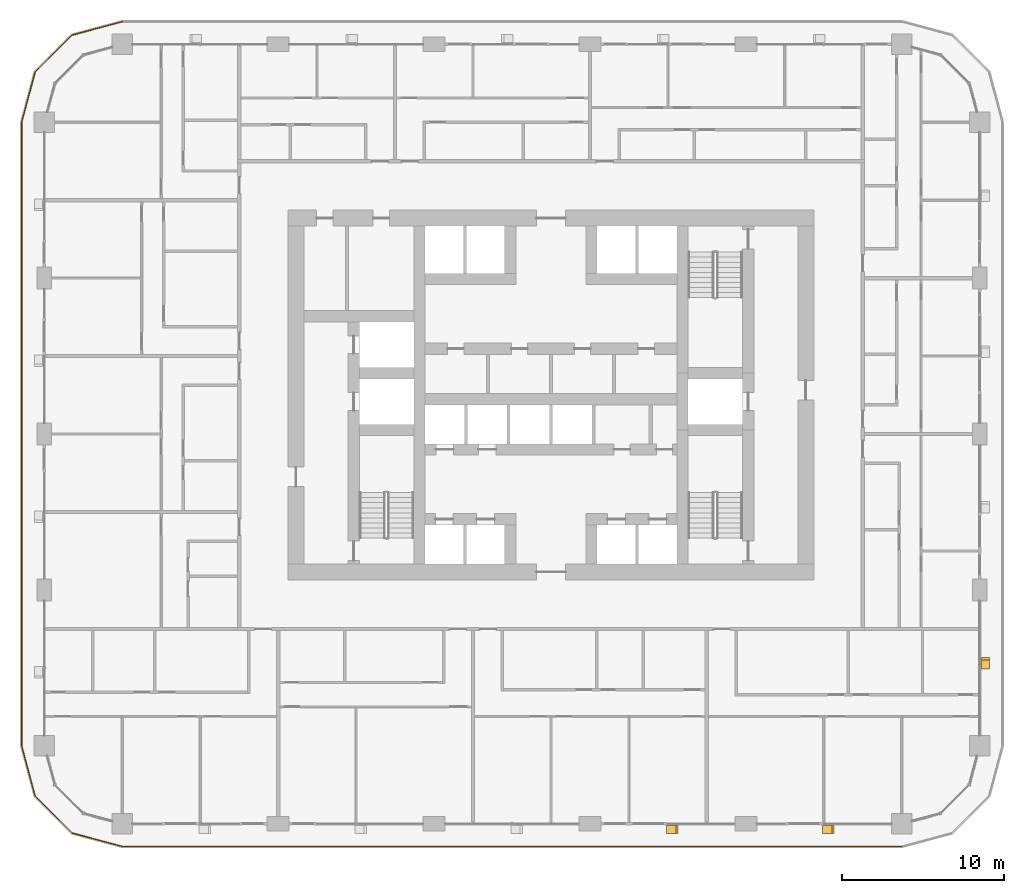
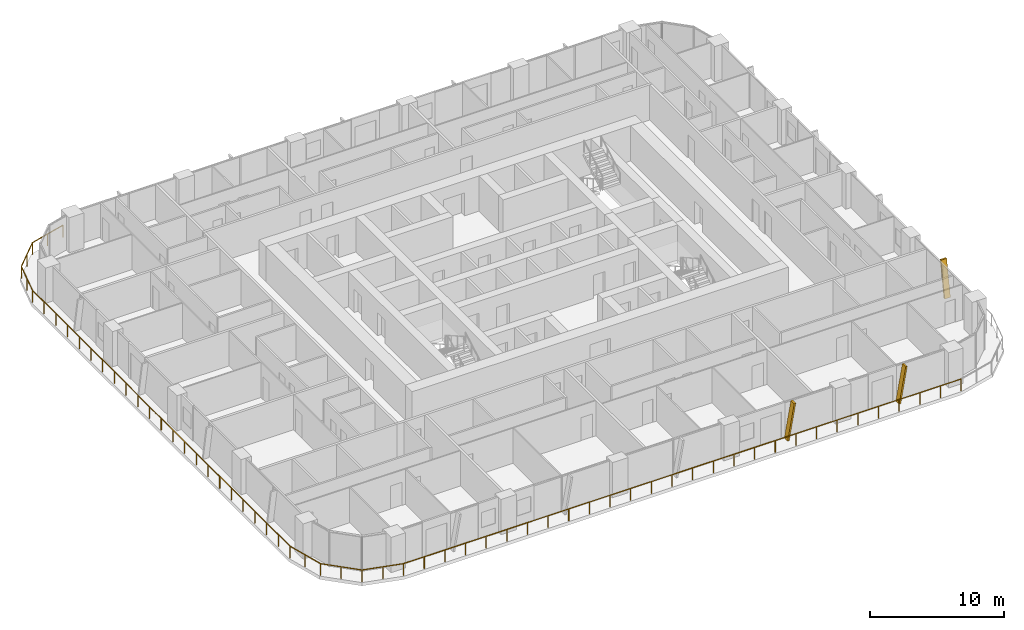
# One storey, part 18 of 21: 3 shading devices, 1 railing.
"""IFC4 building model written with IfcOpenShell, lengths in metres."""

from ifc_helpers import new_model, si_unit, direction, frame, origin, origin_2d, place, context, subcontext, project, spatial, polyline, circle, outline, extrude, material, type_object, element, save


model = new_model("IFC4")

# Units and contexts
model_context = context("Model", 3, precision=1e-05, world=origin(), true_north=direction((0.0, 1.0)))
body_context = subcontext(model_context, "Body", "Model", "MODEL_VIEW")
ifc_project = project(units=[si_unit("LENGTHUNIT", "METRE"), si_unit("AREAUNIT", "SQUARE_METRE"), si_unit("VOLUMEUNIT", "CUBIC_METRE"), si_unit("PLANEANGLEUNIT", "RADIAN"), si_unit("MASSUNIT", "GRAM", prefix="KILO")], contexts=[model_context])

# Site, building, storey
site_placement = place(None, origin())
site = spatial("IfcSite", under=ifc_project, at=site_placement, CompositionType="ELEMENT")
building_placement = place(site_placement, origin())
building = spatial("IfcBuilding", under=site, at=building_placement, Name="Madar Terraces", CompositionType="ELEMENT")
storey_placement = place(building_placement, frame((0.0, 0.0, 46.89990234375)))
storey = spatial("IfcBuildingStorey", under=building, at=storey_placement, Name="L11", CompositionType="ELEMENT", Elevation=46.89990234375)

# Railing
ifc_material_1 = material(Name="Glass, safety glazing, with stainless steel posts", Category="steel")
railing_type = type_object("IfcRailingType", Name="Balcony glass guard 1100", PredefinedType="GUARDRAIL", material=ifc_material_1)
railing_placement = place(storey_placement, frame((4.800048828125, 49.39990234375, 0.0)))
element("IfcRailing", 1, at=railing_placement, inside=storey, type_object=railing_type, Name="Balcony guard", PredefinedType="GUARDRAIL", context=body_context, shape_type="SweptSolid", body=[
    extrude(circle(Radius=0.02392578125, at=origin_2d()), frame((0.0, 0.0, 1.076171875), z_axis=(-0.9659337912, -0.258789317819, 0.0), x_axis=(0.258789317819, -0.9659337912, 0.0)), (0.0, 0.0, 1.0), 3.20947265625),
    extrude(circle(Radius=0.02392578125, at=origin_2d()), frame((-3.10009765625, -0.83056640625, 1.076171875), z_axis=(-0.707106781187, -0.707106781187, 0.0), x_axis=(0.707106781187, -0.707106781187, 0.0)), (0.0, 0.0, 1.0), 3.209228515625),
    extrude(circle(Radius=0.02392578125, at=origin_2d()), frame((-5.369384765625, -3.099853515625, 1.076171875), z_axis=(-0.258789317819, -0.9659337912, 0.0), x_axis=(0.9659337912, -0.258789317819, 0.0)), (0.0, 0.0, 1.0), 3.20947265625),
    extrude(circle(Radius=0.02392578125, at=origin_2d()), frame((-6.199951171875, -6.199951171875, 1.076171875), z_axis=(0.0, -1.0, 0.0), x_axis=(1.0, 0.0, 0.0)), (0.0, 0.0, 1.0), 38.39990234375),
    extrude(circle(Radius=0.02392578125, at=origin_2d()), frame((-6.199951171875, -44.599853515625, 1.076171875), z_axis=(0.258789317819, -0.9659337912, 0.0), x_axis=(0.9659337912, 0.258789317819, 0.0)), (0.0, 0.0, 1.0), 3.20947265625),
    extrude(circle(Radius=0.02392578125, at=origin_2d()), frame((-5.369384765625, -47.699951171875, 1.076171875), z_axis=(0.707106781187, -0.707106781187, 0.0), x_axis=(0.707106781187, 0.707106781187, 0.0)), (0.0, 0.0, 1.0), 3.209228515625),
    extrude(circle(Radius=0.02392578125, at=origin_2d()), frame((-3.10009765625, -49.96923828125, 1.076171875), z_axis=(0.9659337912, -0.258789317819, 0.0), x_axis=(0.258789317819, 0.9659337912, 0.0)), (0.0, 0.0, 1.0), 3.20947265625),
    extrude(circle(Radius=0.02392578125, at=origin_2d()), frame((0.0, -50.7998046875, 1.076171875), z_axis=(1.0, 0.0, 0.0), x_axis=(0.0, 1.0, 0.0)), (0.0, 0.0, 1.0), 48.0),
    extrude(circle(Radius=0.02099609375, at=origin_2d()), origin(), (0.0, 0.0, 1.0), 1.052001953125),
    extrude(circle(Radius=0.02099609375, at=origin_2d()), frame((-1.550048828125, -0.415283203125, 0.0)), (0.0, 0.0, 1.0), 1.052001953125),
    extrude(circle(Radius=0.02099609375, at=origin_2d()), frame((-3.10009765625, -0.83056640625, 0.0)), (0.0, 0.0, 1.0), 1.052001953125),
    extrude(circle(Radius=0.02099609375, at=origin_2d()), frame((-4.23486328125, -1.96533203125, 0.0)), (0.0, 0.0, 1.0), 1.052001953125),
    extrude(circle(Radius=0.02099609375, at=origin_2d()), frame((-5.369384765625, -3.099853515625, 0.0)), (0.0, 0.0, 1.0), 1.052001953125),
    extrude(circle(Radius=0.02099609375, at=origin_2d()), frame((-5.78466796875, -4.64990234375, 0.0)), (0.0, 0.0, 1.0), 1.052001953125),
    extrude(circle(Radius=0.02099609375, at=origin_2d()), frame((-6.199951171875, -6.199951171875, 0.0)), (0.0, 0.0, 1.0), 1.052001953125),
    extrude(circle(Radius=0.02099609375, at=origin_2d()), frame((-6.199951171875, -7.9453125, 0.0)), (0.0, 0.0, 1.0), 1.052001953125),
    extrude(circle(Radius=0.02099609375, at=origin_2d()), frame((-6.199951171875, -9.69091796875, 0.0)), (0.0, 0.0, 1.0), 1.052001953125),
    extrude(circle(Radius=0.02099609375, at=origin_2d()), frame((-6.199951171875, -11.436279296875, 0.0)), (0.0, 0.0, 1.0), 1.052001953125),
    extrude(circle(Radius=0.02099609375, at=origin_2d()), frame((-6.199951171875, -13.181640625, 0.0)), (0.0, 0.0, 1.0), 1.052001953125),
    extrude(circle(Radius=0.02099609375, at=origin_2d()), frame((-6.199951171875, -14.92724609375, 0.0)), (0.0, 0.0, 1.0), 1.052001953125),
    extrude(circle(Radius=0.02099609375, at=origin_2d()), frame((-6.199951171875, -16.672607421875, 0.0)), (0.0, 0.0, 1.0), 1.052001953125),
    extrude(circle(Radius=0.02099609375, at=origin_2d()), frame((-6.199951171875, -18.418212890625, 0.0)), (0.0, 0.0, 1.0), 1.052001953125),
    extrude(circle(Radius=0.02099609375, at=origin_2d()), frame((-6.199951171875, -20.16357421875, 0.0)), (0.0, 0.0, 1.0), 1.052001953125),
    extrude(circle(Radius=0.02099609375, at=origin_2d()), frame((-6.199951171875, -21.908935546875, 0.0)), (0.0, 0.0, 1.0), 1.052001953125),
    extrude(circle(Radius=0.02099609375, at=origin_2d()), frame((-6.199951171875, -23.654541015625, 0.0)), (0.0, 0.0, 1.0), 1.052001953125),
    extrude(circle(Radius=0.02099609375, at=origin_2d()), frame((-6.199951171875, -25.39990234375, 0.0)), (0.0, 0.0, 1.0), 1.052001953125),
    extrude(circle(Radius=0.02099609375, at=origin_2d()), frame((-6.199951171875, -27.145263671875, 0.0)), (0.0, 0.0, 1.0), 1.052001953125),
    extrude(circle(Radius=0.02099609375, at=origin_2d()), frame((-6.199951171875, -28.890869140625, 0.0)), (0.0, 0.0, 1.0), 1.052001953125),
    extrude(circle(Radius=0.02099609375, at=origin_2d()), frame((-6.199951171875, -30.63623046875, 0.0)), (0.0, 0.0, 1.0), 1.052001953125),
    extrude(circle(Radius=0.02099609375, at=origin_2d()), frame((-6.199951171875, -32.381591796875, 0.0)), (0.0, 0.0, 1.0), 1.052001953125),
    extrude(circle(Radius=0.02099609375, at=origin_2d()), frame((-6.199951171875, -34.127197265625, 0.0)), (0.0, 0.0, 1.0), 1.052001953125),
    extrude(circle(Radius=0.02099609375, at=origin_2d()), frame((-6.199951171875, -35.87255859375, 0.0)), (0.0, 0.0, 1.0), 1.052001953125),
    extrude(circle(Radius=0.02099609375, at=origin_2d()), frame((-6.199951171875, -37.6181640625, 0.0)), (0.0, 0.0, 1.0), 1.052001953125),
    extrude(circle(Radius=0.02099609375, at=origin_2d()), frame((-6.199951171875, -39.363525390625, 0.0)), (0.0, 0.0, 1.0), 1.052001953125),
    extrude(circle(Radius=0.02099609375, at=origin_2d()), frame((-6.199951171875, -41.10888671875, 0.0)), (0.0, 0.0, 1.0), 1.052001953125),
    extrude(circle(Radius=0.02099609375, at=origin_2d()), frame((-6.199951171875, -42.8544921875, 0.0)), (0.0, 0.0, 1.0), 1.052001953125),
    extrude(circle(Radius=0.02099609375, at=origin_2d()), frame((-6.199951171875, -44.599853515625, 0.0)), (0.0, 0.0, 1.0), 1.052001953125),
    extrude(circle(Radius=0.02099609375, at=origin_2d()), frame((-5.78466796875, -46.14990234375, 0.0)), (0.0, 0.0, 1.0), 1.052001953125),
    extrude(circle(Radius=0.02099609375, at=origin_2d()), frame((-5.369384765625, -47.699951171875, 0.0)), (0.0, 0.0, 1.0), 1.052001953125),
    extrude(circle(Radius=0.02099609375, at=origin_2d()), frame((-4.23486328125, -48.83447265625, 0.0)), (0.0, 0.0, 1.0), 1.052001953125),
    extrude(circle(Radius=0.02099609375, at=origin_2d()), frame((-3.10009765625, -49.96923828125, 0.0)), (0.0, 0.0, 1.0), 1.052001953125),
    extrude(circle(Radius=0.02099609375, at=origin_2d()), frame((-1.550048828125, -50.384521484375, 0.0)), (0.0, 0.0, 1.0), 1.052001953125),
    extrude(circle(Radius=0.02099609375, at=origin_2d()), frame((0.0, -50.7998046875, 0.0)), (0.0, 0.0, 1.0), 1.052001953125),
    extrude(circle(Radius=0.02099609375, at=origin_2d()), frame((1.77783203125, -50.7998046875, 0.0)), (0.0, 0.0, 1.0), 1.052001953125),
    extrude(circle(Radius=0.02099609375, at=origin_2d()), frame((3.5556640625, -50.7998046875, 0.0)), (0.0, 0.0, 1.0), 1.052001953125),
    extrude(circle(Radius=0.02099609375, at=origin_2d()), frame((5.333251953125, -50.7998046875, 0.0)), (0.0, 0.0, 1.0), 1.052001953125),
    extrude(circle(Radius=0.02099609375, at=origin_2d()), frame((7.111083984375, -50.7998046875, 0.0)), (0.0, 0.0, 1.0), 1.052001953125),
    extrude(circle(Radius=0.02099609375, at=origin_2d()), frame((8.888916015625, -50.7998046875, 0.0)), (0.0, 0.0, 1.0), 1.052001953125),
    extrude(circle(Radius=0.02099609375, at=origin_2d()), frame((10.666748046875, -50.7998046875, 0.0)), (0.0, 0.0, 1.0), 1.052001953125),
    extrude(circle(Radius=0.02099609375, at=origin_2d()), frame((12.4443359375, -50.7998046875, 0.0)), (0.0, 0.0, 1.0), 1.052001953125),
    extrude(circle(Radius=0.02099609375, at=origin_2d()), frame((14.22216796875, -50.7998046875, 0.0)), (0.0, 0.0, 1.0), 1.052001953125),
    extrude(circle(Radius=0.02099609375, at=origin_2d()), frame((16.0, -50.7998046875, 0.0)), (0.0, 0.0, 1.0), 1.052001953125),
    extrude(circle(Radius=0.02099609375, at=origin_2d()), frame((17.77783203125, -50.7998046875, 0.0)), (0.0, 0.0, 1.0), 1.052001953125),
    extrude(circle(Radius=0.02099609375, at=origin_2d()), frame((19.5556640625, -50.7998046875, 0.0)), (0.0, 0.0, 1.0), 1.052001953125),
    extrude(circle(Radius=0.02099609375, at=origin_2d()), frame((21.333251953125, -50.7998046875, 0.0)), (0.0, 0.0, 1.0), 1.052001953125),
    extrude(circle(Radius=0.02099609375, at=origin_2d()), frame((23.111083984375, -50.7998046875, 0.0)), (0.0, 0.0, 1.0), 1.052001953125),
    extrude(circle(Radius=0.02099609375, at=origin_2d()), frame((24.888916015625, -50.7998046875, 0.0)), (0.0, 0.0, 1.0), 1.052001953125),
    extrude(circle(Radius=0.02099609375, at=origin_2d()), frame((26.666748046875, -50.7998046875, 0.0)), (0.0, 0.0, 1.0), 1.052001953125),
    extrude(circle(Radius=0.02099609375, at=origin_2d()), frame((28.4443359375, -50.7998046875, 0.0)), (0.0, 0.0, 1.0), 1.052001953125),
    extrude(circle(Radius=0.02099609375, at=origin_2d()), frame((30.22216796875, -50.7998046875, 0.0)), (0.0, 0.0, 1.0), 1.052001953125),
    extrude(circle(Radius=0.02099609375, at=origin_2d()), frame((32.0, -50.7998046875, 0.0)), (0.0, 0.0, 1.0), 1.052001953125),
    extrude(circle(Radius=0.02099609375, at=origin_2d()), frame((33.77783203125, -50.7998046875, 0.0)), (0.0, 0.0, 1.0), 1.052001953125),
    extrude(circle(Radius=0.02099609375, at=origin_2d()), frame((35.5556640625, -50.7998046875, 0.0)), (0.0, 0.0, 1.0), 1.052001953125),
    extrude(circle(Radius=0.02099609375, at=origin_2d()), frame((37.333251953125, -50.7998046875, 0.0)), (0.0, 0.0, 1.0), 1.052001953125),
    extrude(circle(Radius=0.02099609375, at=origin_2d()), frame((39.111083984375, -50.7998046875, 0.0)), (0.0, 0.0, 1.0), 1.052001953125),
    extrude(circle(Radius=0.02099609375, at=origin_2d()), frame((40.888916015625, -50.7998046875, 0.0)), (0.0, 0.0, 1.0), 1.052001953125),
    extrude(circle(Radius=0.02099609375, at=origin_2d()), frame((42.666748046875, -50.7998046875, 0.0)), (0.0, 0.0, 1.0), 1.052001953125),
    extrude(circle(Radius=0.02099609375, at=origin_2d()), frame((44.4443359375, -50.7998046875, 0.0)), (0.0, 0.0, 1.0), 1.052001953125),
    extrude(circle(Radius=0.02099609375, at=origin_2d()), frame((46.22216796875, -50.7998046875, 0.0)), (0.0, 0.0, 1.0), 1.052001953125),
    extrude(circle(Radius=0.02099609375, at=origin_2d()), frame((48.0, -50.7998046875, 0.0)), (0.0, 0.0, 1.0), 1.052001953125),
])

# Shading devices
ifc_material_2 = material(Name="Aluminium, black anodised", Category="aluminium")
shading_device_type = type_object("IfcShadingDeviceType", Name="Facade fin blade 140 x 500", PredefinedType="USERDEFINED", material=ifc_material_2)
shading_device_1_placement = place(storey_placement, frame((38.330078125, -0.35009765625, 0.0), z_axis=(0.0, 0.0, 1.0), x_axis=(1.0, 0.0, 0.0)))
element("IfcShadingDevice", 2, at=shading_device_1_placement, inside=storey, type_object=shading_device_type, Name="FIN L11 S4", ObjectType="FIN", PredefinedType="USERDEFINED", context=body_context, shape_type="SweptSolid", body=[
    extrude(outline(polyline([(0.0, 0.0), (0.139892578125, 0.0), (0.704345703125, 3.2001953125), (0.564208984375, 3.2001953125), (0.0, 0.0)])), frame((0.0, 0.25, 0.0), z_axis=(0.0, -1.0, 0.0), x_axis=(1.0, 0.0, 0.0)), (0.0, 0.0, 1.0), 0.5),
])
shading_device_2_placement = place(storey_placement, frame((47.929931640625, -0.35009765625, 0.0), z_axis=(0.0, 0.0, 1.0), x_axis=(1.0, 0.0, 0.0)))
element("IfcShadingDevice", 3, at=shading_device_2_placement, inside=storey, type_object=shading_device_type, Name="FIN L11 S5", ObjectType="FIN", PredefinedType="USERDEFINED", context=body_context, shape_type="SweptSolid", body=[
    extrude(outline(polyline([(0.0, 0.0), (0.14013671875, 0.0), (0.704345703125, 3.2001953125), (0.564208984375, 3.2001953125), (0.0, 0.0)])), frame((0.0, 0.25, 0.0), z_axis=(0.0, -1.0, 0.0), x_axis=(1.0, 0.0, 0.0)), (0.0, 0.0, 1.0), 0.5),
])
shading_device_3_placement = place(storey_placement, frame((57.949951171875, 9.530029296875, 0.0), z_axis=(0.0, 0.0, 1.0), x_axis=(0.0, 1.0, 0.0)))
element("IfcShadingDevice", 4, at=shading_device_3_placement, inside=storey, type_object=shading_device_type, Name="FIN L11 E1", ObjectType="FIN", PredefinedType="USERDEFINED", context=body_context, shape_type="SweptSolid", body=[
    extrude(outline(polyline([(0.0, 0.0), (0.139892578125, 0.0), (0.704345703125, 3.2001953125), (0.564208984375, 3.2001953125), (0.0, 0.0)])), frame((0.0, 0.25, 0.0), z_axis=(0.0, -1.0, 0.0), x_axis=(1.0, 0.0, 0.0)), (0.0, 0.0, 1.0), 0.5),
])

save(model, "model.ifc")
